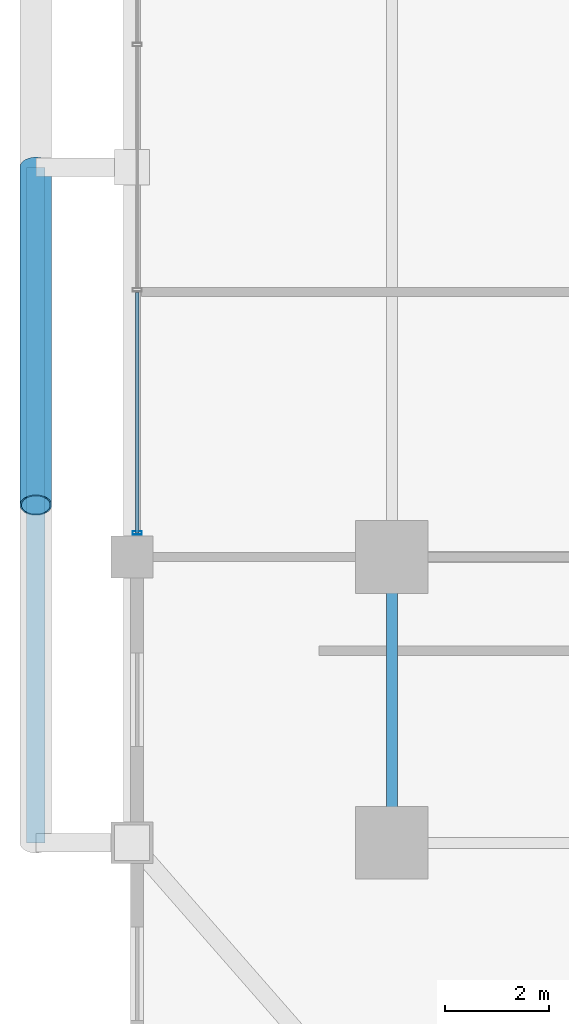
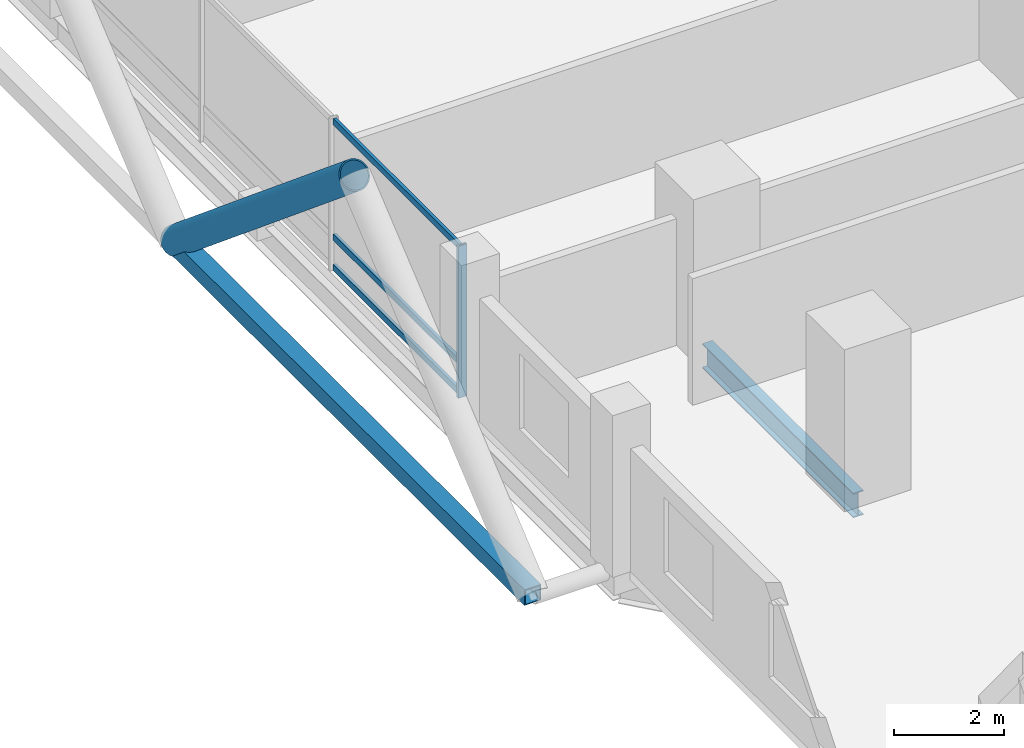
# One storey, part 6 of 26: 6 members, 1 beam, 1 element without a shape of its own.
"""IFC4 building model written with IfcOpenShell, lengths in metres."""

from ifc_helpers import new_model, si_unit, direction, frame, origin, origin_2d, place, context, subcontext, project, spatial, hollow_rectangle, hollow_circle, i_section, extrude, material, layer, layer_set, material_profile, profile_set, type_object, element, aggregate, save


model = new_model("IFC4")

# Units and contexts
model_context = context("Model", 3, precision=1e-05, world=origin(), true_north=direction((0.0, 1.0)))
body_context = subcontext(model_context, "Body", "Model", "MODEL_VIEW")
ifc_project = project(units=[si_unit("LENGTHUNIT", "METRE"), si_unit("AREAUNIT", "SQUARE_METRE"), si_unit("VOLUMEUNIT", "CUBIC_METRE"), si_unit("PLANEANGLEUNIT", "RADIAN"), si_unit("MASSUNIT", "GRAM", prefix="KILO")], contexts=[model_context])

# Site, building, storey
site_placement = place(None, origin())
site = spatial("IfcSite", under=ifc_project, at=site_placement, CompositionType="ELEMENT")
building_placement = place(site_placement, origin())
building = spatial("IfcBuilding", under=site, at=building_placement, Name="Barlavira Tower and Art Museum", CompositionType="ELEMENT")
storey_placement = place(building_placement, frame((0.0, 0.0, 82.800048828125)))
storey = spatial("IfcBuildingStorey", under=building, at=storey_placement, Name="L20", CompositionType="ELEMENT", Elevation=82.800048828125)

# Curtain wall, members
ifc_material_1 = material(Name="Low-iron coastal laminated glass", Category="glass")
ifc_layer = layer(ifc_material_1, 0.179931640625, Name="Low-iron coastal laminated glass")
ifc_layer_set = layer_set([ifc_layer], Name="Low-iron coastal laminated glass")
curtain_wall_type = type_object("IfcCurtainWallType", Name="Pale-Metal Unitised Curtain Wall Zone 1", PredefinedType="NOTDEFINED", material=ifc_layer_set)
curtain_wall_placement = place(storey_placement, origin())
curtain_wall = element("IfcCurtainWall", 1, at=curtain_wall_placement, inside=storey, type_object=curtain_wall_type, Name="L20 Curtain Wall CW1-L20-W-B3", PredefinedType="NOTDEFINED")
ifc_material_2 = material(Name="Pale anodised aluminium", Category="aluminium")
ifc_material_profile_1 = material_profile(ifc_material_2, hollow_rectangle(XDim=0.06494140625, YDim=0.179931640625, WallThickness=0.00390625, at=origin_2d()), Name="ALU-MULL 65x180x4")
ifc_profile_set_1 = profile_set([ifc_material_profile_1], Name="Pale anodised aluminium")
member_type_1 = type_object("IfcMemberType", Name="Curtain Wall Pale-Metal Mullion 65x180", PredefinedType="MULLION", material=ifc_profile_set_1)
member_1_placement = place(storey_placement, frame((-21.89990234375, -7.034912109375, 0.0), z_axis=(0.0, 0.0, 1.0), x_axis=(0.0, -1.0, 0.0)))
member_1 = element("IfcMember", 2, at=member_1_placement, type_object=member_type_1, Name="CW1-L20-W-B3 Mullion 3", PredefinedType="MULLION", context=body_context, shape_type="SweptSolid", body=[
    extrude(hollow_rectangle(XDim=0.06494140625, YDim=0.179931640625, WallThickness=0.00390625, at=origin_2d()), origin(), (0.0, 0.0, 1.0), 3.3798828125),
])
ifc_material_profile_2 = material_profile(ifc_material_2, hollow_rectangle(XDim=0.06494140625, YDim=0.139892578125, WallThickness=0.00390625, at=origin_2d()), Name="ALU-TRAN 65x140x4")
ifc_profile_set_2 = profile_set([ifc_material_profile_2], Name="Pale anodised aluminium")
member_type_2 = type_object("IfcMemberType", Name="Curtain Wall Pale-Metal Transom 65x140", PredefinedType="USERDEFINED", material=ifc_profile_set_2)
member_2_placement = place(storey_placement, frame((-21.89990234375, -2.405029296875, 0.070068359375), z_axis=(0.0, -1.0, 0.0), x_axis=(1.0, 0.0, 0.0)))
member_2 = element("IfcMember", 3, at=member_2_placement, type_object=member_type_2, Name="CW1-L20-W-B3 Transom 2.1", ObjectType="TRANSOM", PredefinedType="USERDEFINED", context=body_context, shape_type="SweptSolid", body=[
    extrude(hollow_rectangle(XDim=0.06494140625, YDim=0.139892578125, WallThickness=0.00390625, at=origin_2d()), origin(), (0.0, 0.0, 1.0), 4.6298828125),
])
member_3_placement = place(storey_placement, frame((-21.89990234375, -2.405029296875, 0.743896484375), z_axis=(0.0, -1.0, 0.0), x_axis=(1.0, 0.0, 0.0)))
member_3 = element("IfcMember", 4, at=member_3_placement, type_object=member_type_2, Name="CW1-L20-W-B3 Transom 2.2", ObjectType="TRANSOM", PredefinedType="USERDEFINED", context=body_context, shape_type="SweptSolid", body=[
    extrude(hollow_rectangle(XDim=0.06494140625, YDim=0.139892578125, WallThickness=0.00390625, at=origin_2d()), origin(), (0.0, 0.0, 1.0), 4.6298828125),
])
member_4_placement = place(storey_placement, frame((-21.89990234375, -2.405029296875, 3.31005859375), z_axis=(0.0, -1.0, 0.0), x_axis=(1.0, 0.0, 0.0)))
member_4 = element("IfcMember", 5, at=member_4_placement, type_object=member_type_2, Name="CW1-L20-W-B3 Transom 2.3", ObjectType="TRANSOM", PredefinedType="USERDEFINED", context=body_context, shape_type="SweptSolid", body=[
    extrude(hollow_rectangle(XDim=0.06494140625, YDim=0.139892578125, WallThickness=0.00390625, at=origin_2d()), origin(), (0.0, 0.0, 1.0), 4.6298828125),
])
aggregate(curtain_wall, [member_1, member_2, member_3, member_4])

# Members
ifc_material_3 = material(Name="Steel S355", Category="steel")
ifc_material_profile_3 = material_profile(ifc_material_3, hollow_circle(Radius=0.304931640625, WallThickness=0.028076171875, at=origin_2d()), Name="CHS 610.0x28.0")
ifc_profile_set_3 = profile_set([ifc_material_profile_3], Name="Steel S355")
member_type_3 = type_object("IfcMemberType", Name="Pale-Metal Exoskeleton Diagrid Tube CHS 610x28 Steel S355", PredefinedType="BRACE", material=ifc_profile_set_3)
member_5_placement = place(storey_placement, frame((-23.85009765625, 0.0, -0.1201171875), z_axis=(0.0, -0.76918185268, 0.639029950399), x_axis=(1.0, 0.0, 0.0)))
element("IfcMember", 6, at=member_5_placement, inside=storey, type_object=member_type_3, Name="L20 Exoskeleton Diagrid Tube W", PredefinedType="BRACE", context=body_context, shape_type="SweptSolid", body=[
    extrude(hollow_circle(Radius=0.304931640625, WallThickness=0.028076171875, at=origin_2d()), origin(), (0.0, 0.0, 1.0), 8.450439453125),
])
ifc_material_profile_4 = material_profile(ifc_material_3, hollow_rectangle(XDim=0.35009765625, YDim=0.35009765625, WallThickness=0.02001953125, at=origin_2d()), Name="SHS 350x350x20.0")
ifc_profile_set_4 = profile_set([ifc_material_profile_4], Name="Steel S355")
member_type_4 = type_object("IfcMemberType", Name="Pale-Metal Exoskeleton Ring Strut SHS 350x350x20 Steel S355", PredefinedType="STRUT", material=ifc_profile_set_4)
member_6_placement = place(storey_placement, frame((-23.85009765625, -13.0, -0.1201171875), z_axis=(0.0, 1.0, 0.0), x_axis=(-1.0, 0.0, 0.0)))
element("IfcMember", 7, at=member_6_placement, inside=storey, type_object=member_type_4, Name="L20 Exoskeleton Ring Strut W", PredefinedType="STRUT", context=body_context, shape_type="SweptSolid", body=[
    extrude(hollow_rectangle(XDim=0.35009765625, YDim=0.35009765625, WallThickness=0.02001953125, at=origin_2d()), origin(), (0.0, 0.0, 1.0), 13.0),
])

# Beam
ifc_material_profile_5 = material_profile(ifc_material_3, i_section(OverallWidth=0.214111328125, OverallDepth=0.549072265625, WebThickness=0.0146484375, FlangeThickness=0.023681640625, at=origin_2d()), Name="W530x138.0")
ifc_profile_set_5 = profile_set([ifc_material_profile_5], Name="Steel S355")
beam_type = type_object("IfcBeamType", Name="Zone 1 Primary Floor Girder W530x138 Steel S355", PredefinedType="BEAM", material=ifc_profile_set_5)
beam_placement = place(storey_placement, frame((-17.0, -13.0, -0.49462890625), z_axis=(0.0, 1.0, 0.0), x_axis=(-1.0, 0.0, 0.0)))
element("IfcBeam", 8, at=beam_placement, inside=storey, type_object=beam_type, Name="L20 Girder M-W1", PredefinedType="BEAM", context=body_context, shape_type="SweptSolid", body=[
    extrude(i_section(OverallWidth=0.214111328125, OverallDepth=0.549072265625, WebThickness=0.0146484375, FlangeThickness=0.023681640625, at=origin_2d()), origin(), (0.0, 0.0, 1.0), 5.5),
])

save(model, "model.ifc")
